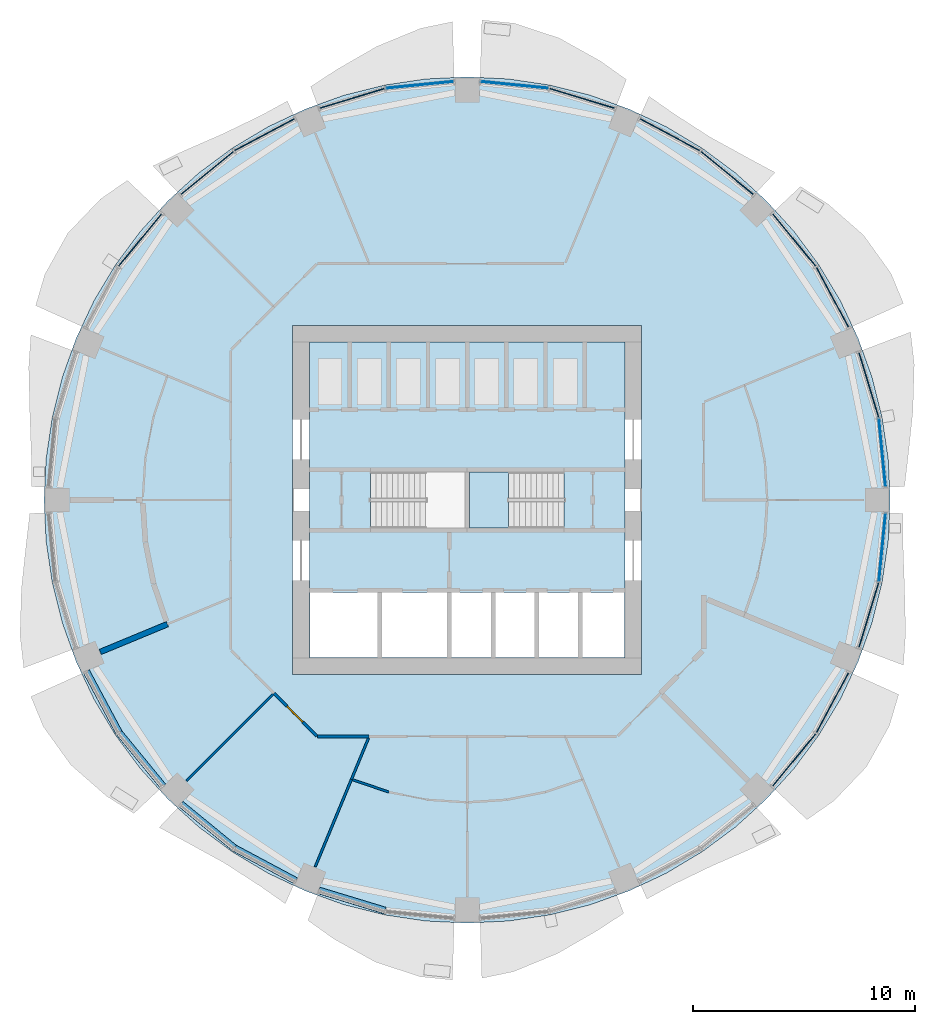
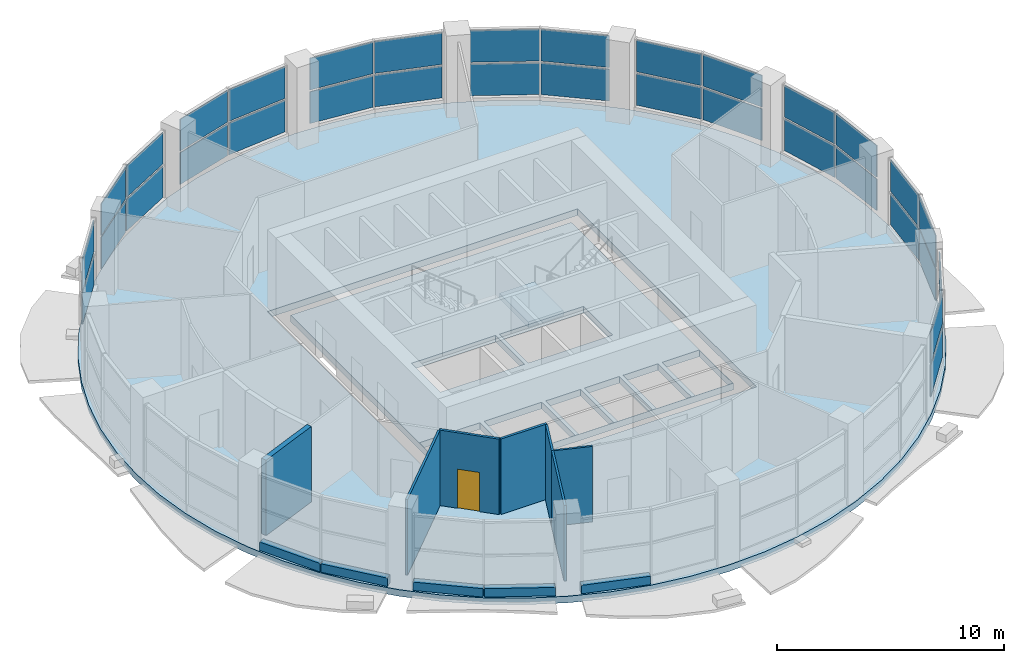
# One storey, part 5 of 13: 34 plates, 12 walls, 3 slabs, 1 door, 1 opening, 10 elements without a shape of their own.
"""IFC4 building model written with IfcOpenShell, lengths in metres."""

from ifc_helpers import new_model, si_unit, direction, frame, frame_2d, origin, origin_2d, place, context, subcontext, project, spatial, polyline, rectangle, outline, extrude, material, layer, layer_set, type_object, element, fill, aggregate, save


model = new_model("IFC4")

# Units and contexts
model_context = context("Model", 3, precision=1e-05, world=origin(), true_north=direction((0.0, 1.0)))
body_context = subcontext(model_context, "Body", "Model", "MODEL_VIEW")
ifc_project = project(units=[si_unit("LENGTHUNIT", "METRE"), si_unit("AREAUNIT", "SQUARE_METRE"), si_unit("VOLUMEUNIT", "CUBIC_METRE"), si_unit("PLANEANGLEUNIT", "RADIAN"), si_unit("MASSUNIT", "GRAM", prefix="KILO")], contexts=[model_context])

# Site, building, storey
site_placement = place(None, origin())
site = spatial("IfcSite", under=ifc_project, at=site_placement, CompositionType="ELEMENT")
building_placement = place(site_placement, origin())
building = spatial("IfcBuilding", under=site, at=building_placement, Name="Polderwave Tower", CompositionType="ELEMENT")
storey_placement = place(building_placement, frame((0.0, 0.0, 116.550048828125)))
storey = spatial("IfcBuildingStorey", under=building, at=storey_placement, Name="L30", CompositionType="ELEMENT", Elevation=116.550048828125)

# Slabs
ifc_material_1 = material(Name="Concrete C40/50", Category="concrete")
ifc_layer_1 = layer(ifc_material_1, 0.35009765625)
ifc_layer_set_1 = layer_set([ifc_layer_1], Name="Core floor slab 350")
slab_type_1 = type_object("IfcSlabType", Name="Core floor slab 350", PredefinedType="FLOOR", material=ifc_layer_set_1)
slab_1_placement = place(storey_placement, frame((0.0, 0.0, -0.35009765625)))
element("IfcSlab", 1, at=slab_1_placement, inside=storey, type_object=slab_type_1, Name="L30 core floor", PredefinedType="FLOOR", context=body_context, shape_type="SweptSolid", body=[
    extrude(outline(polyline([(-7.1240234375, -7.1240234375), (7.1240234375, -7.1240234375), (7.1240234375, 7.1240234375), (-7.1240234375, 7.1240234375), (-7.1240234375, -7.1240234375)]), holes=[polyline([(-7.10400390625, -7.10400390625), (-4.037109375, -7.10400390625), (-4.037109375, -4.174072265625), (-7.10400390625, -4.174072265625), (-7.10400390625, -7.10400390625)]), polyline([(-3.8369140625, -7.10400390625), (-0.89990234375, -7.10400390625), (-0.89990234375, -4.174072265625), (-3.8369140625, -4.174072265625), (-3.8369140625, -7.10400390625)]), polyline([(-0.699951171875, -7.10400390625), (1.068603515625, -7.10400390625), (1.068603515625, -4.174072265625), (-0.699951171875, -4.174072265625), (-0.699951171875, -7.10400390625)]), polyline([(1.2685546875, -7.10400390625), (3.037109375, -7.10400390625), (3.037109375, -4.174072265625), (1.2685546875, -4.174072265625), (1.2685546875, -7.10400390625)]), polyline([(3.237060546875, -7.10400390625), (5.005615234375, -7.10400390625), (5.005615234375, -4.174072265625), (3.237060546875, -4.174072265625), (3.237060546875, -7.10400390625)]), polyline([(5.20556640625, -7.10400390625), (7.10400390625, -7.10400390625), (7.10400390625, -4.174072265625), (5.20556640625, -4.174072265625), (5.20556640625, -7.10400390625)]), polyline([(-4.37353515625, -1.2744140625), (-0.1005859375, -1.2744140625), (-0.1005859375, 1.2744140625), (-4.37353515625, 1.2744140625), (-4.37353515625, -1.2744140625)]), polyline([(0.1005859375, -1.2744140625), (4.37353515625, -1.2744140625), (4.37353515625, 1.2744140625), (0.1005859375, 1.2744140625), (0.1005859375, -1.2744140625)])]), origin(), (0.0, 0.0, 1.0), 0.35009765625),
])
ifc_layer_2 = layer(ifc_material_1, 0.35009765625)
ifc_layer_set_2 = layer_set([ifc_layer_2], Name="PT FLOOR SLAB 350 C40/50")
slab_type_2 = type_object("IfcSlabType", Name="PT FLOOR SLAB 350 C40/50", PredefinedType="FLOOR", material=ifc_layer_set_2)
slab_2_placement = place(storey_placement, frame((0.0, 0.0, -0.35009765625)))
element("IfcSlab", 2, at=slab_2_placement, inside=storey, type_object=slab_type_2, Name="ST-SLAB-L30", PredefinedType="FLOOR", context=body_context, shape_type="SweptSolid", body=[
    extrude(outline(polyline([(19.10009765625, 0.0), (19.008056640625, 1.8720703125), (18.73291015625, 3.726318359375), (18.277587890625, 5.54443359375), (17.64599609375, 7.309326171875), (16.8447265625, 9.003662109375), (15.881103515625, 10.611328125), (14.764404296875, 12.116943359375), (13.505615234375, 13.505615234375), (12.116943359375, 14.764404296875), (10.611328125, 15.881103515625), (9.003662109375, 16.8447265625), (7.309326171875, 17.64599609375), (5.54443359375, 18.277587890625), (3.726318359375, 18.73291015625), (1.8720703125, 19.008056640625), (0.0, 19.10009765625), (-1.8720703125, 19.008056640625), (-3.726318359375, 18.73291015625), (-5.54443359375, 18.277587890625), (-7.309326171875, 17.64599609375), (-9.003662109375, 16.8447265625), (-10.611328125, 15.881103515625), (-12.116943359375, 14.764404296875), (-13.505615234375, 13.505615234375), (-14.764404296875, 12.116943359375), (-15.881103515625, 10.611328125), (-16.8447265625, 9.003662109375), (-17.64599609375, 7.309326171875), (-18.277587890625, 5.54443359375), (-18.73291015625, 3.726318359375), (-19.008056640625, 1.8720703125), (-19.10009765625, 0.0), (-19.008056640625, -1.8720703125), (-18.73291015625, -3.726318359375), (-18.277587890625, -5.54443359375), (-17.64599609375, -7.309326171875), (-16.8447265625, -9.003662109375), (-15.881103515625, -10.611328125), (-14.764404296875, -12.116943359375), (-13.505615234375, -13.505615234375), (-12.116943359375, -14.764404296875), (-10.611328125, -15.881103515625), (-9.003662109375, -16.8447265625), (-7.309326171875, -17.64599609375), (-5.54443359375, -18.277587890625), (-3.726318359375, -18.73291015625), (-1.8720703125, -19.008056640625), (0.0, -19.10009765625), (1.8720703125, -19.008056640625), (3.726318359375, -18.73291015625), (5.54443359375, -18.277587890625), (7.309326171875, -17.64599609375), (9.003662109375, -16.8447265625), (10.611328125, -15.881103515625), (12.116943359375, -14.764404296875), (13.505615234375, -13.505615234375), (14.764404296875, -12.116943359375), (15.881103515625, -10.611328125), (16.8447265625, -9.003662109375), (17.64599609375, -7.309326171875), (18.277587890625, -5.54443359375), (18.73291015625, -3.726318359375), (19.008056640625, -1.8720703125), (19.10009765625, 0.0)]), holes=[polyline([(-7.8740234375, -7.8740234375), (7.8740234375, -7.8740234375), (7.8740234375, 7.8740234375), (-7.8740234375, 7.8740234375), (-7.8740234375, -7.8740234375)])]), origin(), (0.0, 0.0, 1.0), 0.35009765625),
])

# Curtain wall, plates
ifc_material_2 = material(Name="Aluminium 6063-T6 and glass", Category="aluminium")
curtain_wall_type = type_object("IfcCurtainWallType", Name="Sky floor glazing wall", PredefinedType="NOTDEFINED", material=ifc_material_2)
curtain_wall_1_placement = place(storey_placement, origin())
curtain_wall_1 = element("IfcCurtainWall", 3, at=curtain_wall_1_placement, inside=storey, type_object=curtain_wall_type, Name="CW4 L30 00", PredefinedType="NOTDEFINED")
ifc_material_3 = material(Name="Glass, low-e laminated double glazing", Category="glass")
ifc_layer_3 = layer(ifc_material_3, 0.0439453125)
ifc_layer_set_3 = layer_set([ifc_layer_3], Name="Sky floor glazing glass panel 44 mm")
plate_type = type_object("IfcPlateType", Name="Sky floor glazing glass panel 44 mm", PredefinedType="CURTAIN_PANEL", material=ifc_layer_set_3)
plate_1_placement = place(storey_placement, frame((18.7392578125, 2.14208984375, 0.4501953125), z_axis=(0.0, 0.0, 1.0), x_axis=(-0.098032772643, 0.9951831869, 0.0)))
plate_1 = element("IfcPlate", 4, at=plate_1_placement, type_object=plate_type, Name="CW4 panel 1", PredefinedType="CURTAIN_PANEL", context=body_context, shape_type="SweptSolid", body=[
    extrude(rectangle(XDim=3.0498046875, YDim=0.0439453125, at=origin_2d()), origin(), (0.0, 0.0, 1.0), 1.699951171875),
])
plate_2_placement = place(storey_placement, frame((18.7392578125, 2.14208984375, 2.25), z_axis=(0.0, 0.0, 1.0), x_axis=(-0.098032772643, 0.9951831869, 0.0)))
plate_2 = element("IfcPlate", 5, at=plate_2_placement, type_object=plate_type, Name="CW4 panel 2", PredefinedType="CURTAIN_PANEL", context=body_context, shape_type="SweptSolid", body=[
    extrude(rectangle(XDim=3.0498046875, YDim=0.0439453125, at=origin_2d()), origin(), (0.0, 0.0, 1.0), 1.699951171875),
])
plate_3_placement = place(storey_placement, frame((18.13232421875, 5.192138671875, 0.4501953125), z_axis=(0.0, 0.0, 1.0), x_axis=(-0.290306389467, 0.956933749135, 0.0)))
plate_3 = element("IfcPlate", 6, at=plate_3_placement, type_object=plate_type, Name="CW4 panel 3", PredefinedType="CURTAIN_PANEL", context=body_context, shape_type="SweptSolid", body=[
    extrude(rectangle(XDim=3.0498046875, YDim=0.0439453125, at=origin_2d()), origin(), (0.0, 0.0, 1.0), 1.699951171875),
])
plate_4_placement = place(storey_placement, frame((18.13232421875, 5.192138671875, 2.25), z_axis=(0.0, 0.0, 1.0), x_axis=(-0.290306389467, 0.956933749135, 0.0)))
plate_4 = element("IfcPlate", 7, at=plate_4_placement, type_object=plate_type, Name="CW4 panel 4", PredefinedType="CURTAIN_PANEL", context=body_context, shape_type="SweptSolid", body=[
    extrude(rectangle(XDim=3.0498046875, YDim=0.0439453125, at=origin_2d()), origin(), (0.0, 0.0, 1.0), 1.699951171875),
])
aggregate(curtain_wall_1, [plate_1, plate_2, plate_3, plate_4])

curtain_wall_2_placement = place(storey_placement, origin())
curtain_wall_2 = element("IfcCurtainWall", 8, at=curtain_wall_2_placement, inside=storey, type_object=curtain_wall_type, Name="CW4 L30 01", PredefinedType="NOTDEFINED")
plate_5_placement = place(storey_placement, frame((16.49267578125, 9.14990234375, 0.4501953125), z_axis=(0.0, 0.0, 1.0), x_axis=(-0.471458305396, 0.881888352499, 0.0)))
plate_5 = element("IfcPlate", 9, at=plate_5_placement, type_object=plate_type, Name="CW4 panel 1", PredefinedType="CURTAIN_PANEL", context=body_context, shape_type="SweptSolid", body=[
    extrude(rectangle(XDim=3.050048828125, YDim=0.0439453125, at=origin_2d()), origin(), (0.0, 0.0, 1.0), 1.699951171875),
])
plate_6_placement = place(storey_placement, frame((16.49267578125, 9.14990234375, 2.25), z_axis=(0.0, 0.0, 1.0), x_axis=(-0.471458305396, 0.881888352499, 0.0)))
plate_6 = element("IfcPlate", 10, at=plate_6_placement, type_object=plate_type, Name="CW4 panel 2", PredefinedType="CURTAIN_PANEL", context=body_context, shape_type="SweptSolid", body=[
    extrude(rectangle(XDim=3.050048828125, YDim=0.0439453125, at=origin_2d()), origin(), (0.0, 0.0, 1.0), 1.699951171875),
])
plate_7_placement = place(storey_placement, frame((14.764892578125, 11.735595703125, 0.4501953125), z_axis=(0.0, 0.0, 1.0), x_axis=(-0.634443201678, 0.77296948442, 0.0)))
plate_7 = element("IfcPlate", 11, at=plate_7_placement, type_object=plate_type, Name="CW4 panel 3", PredefinedType="CURTAIN_PANEL", context=body_context, shape_type="SweptSolid", body=[
    extrude(rectangle(XDim=3.04931640625, YDim=0.0439453125, at=origin_2d()), origin(), (0.0, 0.0, 1.0), 1.699951171875),
])
plate_8_placement = place(storey_placement, frame((14.764892578125, 11.735595703125, 2.25), z_axis=(0.0, 0.0, 1.0), x_axis=(-0.634443201678, 0.77296948442, 0.0)))
plate_8 = element("IfcPlate", 12, at=plate_8_placement, type_object=plate_type, Name="CW4 panel 4", PredefinedType="CURTAIN_PANEL", context=body_context, shape_type="SweptSolid", body=[
    extrude(rectangle(XDim=3.04931640625, YDim=0.0439453125, at=origin_2d()), origin(), (0.0, 0.0, 1.0), 1.699951171875),
])
aggregate(curtain_wall_2, [plate_5, plate_6, plate_7, plate_8])

curtain_wall_3_placement = place(storey_placement, origin())
curtain_wall_3 = element("IfcCurtainWall", 13, at=curtain_wall_3_placement, inside=storey, type_object=curtain_wall_type, Name="CW4 L30 02", PredefinedType="NOTDEFINED")
plate_9_placement = place(storey_placement, frame((11.735595703125, 14.764892578125, 0.4501953125), z_axis=(0.0, 0.0, 1.0), x_axis=(-0.77296948442, 0.634443201678, 0.0)))
plate_9 = element("IfcPlate", 14, at=plate_9_placement, type_object=plate_type, Name="CW4 panel 1", PredefinedType="CURTAIN_PANEL", context=body_context, shape_type="SweptSolid", body=[
    extrude(rectangle(XDim=3.04931640625, YDim=0.0439453125, at=origin_2d()), origin(), (0.0, 0.0, 1.0), 1.699951171875),
])
plate_10_placement = place(storey_placement, frame((11.735595703125, 14.764892578125, 2.25), z_axis=(0.0, 0.0, 1.0), x_axis=(-0.77296948442, 0.634443201678, 0.0)))
plate_10 = element("IfcPlate", 15, at=plate_10_placement, type_object=plate_type, Name="CW4 panel 2", PredefinedType="CURTAIN_PANEL", context=body_context, shape_type="SweptSolid", body=[
    extrude(rectangle(XDim=3.04931640625, YDim=0.0439453125, at=origin_2d()), origin(), (0.0, 0.0, 1.0), 1.699951171875),
])
plate_11_placement = place(storey_placement, frame((9.14990234375, 16.49267578125, 0.4501953125), z_axis=(0.0, 0.0, 1.0), x_axis=(-0.881888352499, 0.471458305396, 0.0)))
plate_11 = element("IfcPlate", 16, at=plate_11_placement, type_object=plate_type, Name="CW4 panel 3", PredefinedType="CURTAIN_PANEL", context=body_context, shape_type="SweptSolid", body=[
    extrude(rectangle(XDim=3.050048828125, YDim=0.0439453125, at=origin_2d()), origin(), (0.0, 0.0, 1.0), 1.699951171875),
])
plate_12_placement = place(storey_placement, frame((9.14990234375, 16.49267578125, 2.25), z_axis=(0.0, 0.0, 1.0), x_axis=(-0.881888352499, 0.471458305396, 0.0)))
plate_12 = element("IfcPlate", 17, at=plate_12_placement, type_object=plate_type, Name="CW4 panel 4", PredefinedType="CURTAIN_PANEL", context=body_context, shape_type="SweptSolid", body=[
    extrude(rectangle(XDim=3.050048828125, YDim=0.0439453125, at=origin_2d()), origin(), (0.0, 0.0, 1.0), 1.699951171875),
])
aggregate(curtain_wall_3, [plate_9, plate_10, plate_11, plate_12])

curtain_wall_4_placement = place(storey_placement, origin())
curtain_wall_4 = element("IfcCurtainWall", 18, at=curtain_wall_4_placement, inside=storey, type_object=curtain_wall_type, Name="CW4 L30 03", PredefinedType="NOTDEFINED")
plate_13_placement = place(storey_placement, frame((5.192138671875, 18.13232421875, 0.4501953125), z_axis=(0.0, 0.0, 1.0), x_axis=(-0.956933749135, 0.290306389467, 0.0)))
plate_13 = element("IfcPlate", 19, at=plate_13_placement, type_object=plate_type, Name="CW4 panel 1", PredefinedType="CURTAIN_PANEL", context=body_context, shape_type="SweptSolid", body=[
    extrude(rectangle(XDim=3.0498046875, YDim=0.0439453125, at=origin_2d()), origin(), (0.0, 0.0, 1.0), 1.699951171875),
])
plate_14_placement = place(storey_placement, frame((5.192138671875, 18.13232421875, 2.25), z_axis=(0.0, 0.0, 1.0), x_axis=(-0.956933749135, 0.290306389467, 0.0)))
plate_14 = element("IfcPlate", 20, at=plate_14_placement, type_object=plate_type, Name="CW4 panel 2", PredefinedType="CURTAIN_PANEL", context=body_context, shape_type="SweptSolid", body=[
    extrude(rectangle(XDim=3.0498046875, YDim=0.0439453125, at=origin_2d()), origin(), (0.0, 0.0, 1.0), 1.699951171875),
])
plate_15_placement = place(storey_placement, frame((2.14208984375, 18.7392578125, 0.4501953125), z_axis=(0.0, 0.0, 1.0), x_axis=(-0.9951831869, 0.098032772643, 0.0)))
plate_15 = element("IfcPlate", 21, at=plate_15_placement, type_object=plate_type, Name="CW4 panel 3", PredefinedType="CURTAIN_PANEL", context=body_context, shape_type="SweptSolid", body=[
    extrude(rectangle(XDim=3.0498046875, YDim=0.0439453125, at=origin_2d()), origin(), (0.0, 0.0, 1.0), 1.699951171875),
])
plate_16_placement = place(storey_placement, frame((2.14208984375, 18.7392578125, 2.25), z_axis=(0.0, 0.0, 1.0), x_axis=(-0.9951831869, 0.098032772643, 0.0)))
plate_16 = element("IfcPlate", 22, at=plate_16_placement, type_object=plate_type, Name="CW4 panel 4", PredefinedType="CURTAIN_PANEL", context=body_context, shape_type="SweptSolid", body=[
    extrude(rectangle(XDim=3.0498046875, YDim=0.0439453125, at=origin_2d()), origin(), (0.0, 0.0, 1.0), 1.699951171875),
])
aggregate(curtain_wall_4, [plate_13, plate_14, plate_15, plate_16])

curtain_wall_5_placement = place(storey_placement, origin())
curtain_wall_5 = element("IfcCurtainWall", 23, at=curtain_wall_5_placement, inside=storey, type_object=curtain_wall_type, Name="CW4 L30 04", PredefinedType="NOTDEFINED")
plate_17_placement = place(storey_placement, frame((-2.14208984375, 18.7392578125, 0.4501953125), z_axis=(0.0, 0.0, 1.0), x_axis=(-0.9951831869, -0.098032772643, 0.0)))
plate_17 = element("IfcPlate", 24, at=plate_17_placement, type_object=plate_type, Name="CW4 panel 1", PredefinedType="CURTAIN_PANEL", context=body_context, shape_type="SweptSolid", body=[
    extrude(rectangle(XDim=3.0498046875, YDim=0.0439453125, at=origin_2d()), origin(), (0.0, 0.0, 1.0), 1.699951171875),
])
plate_18_placement = place(storey_placement, frame((-2.14208984375, 18.7392578125, 2.25), z_axis=(0.0, 0.0, 1.0), x_axis=(-0.9951831869, -0.098032772643, 0.0)))
plate_18 = element("IfcPlate", 25, at=plate_18_placement, type_object=plate_type, Name="CW4 panel 2", PredefinedType="CURTAIN_PANEL", context=body_context, shape_type="SweptSolid", body=[
    extrude(rectangle(XDim=3.0498046875, YDim=0.0439453125, at=origin_2d()), origin(), (0.0, 0.0, 1.0), 1.699951171875),
])
plate_19_placement = place(storey_placement, frame((-5.192138671875, 18.13232421875, 0.4501953125), z_axis=(0.0, 0.0, 1.0), x_axis=(-0.956933749135, -0.290306389467, 0.0)))
plate_19 = element("IfcPlate", 26, at=plate_19_placement, type_object=plate_type, Name="CW4 panel 3", PredefinedType="CURTAIN_PANEL", context=body_context, shape_type="SweptSolid", body=[
    extrude(rectangle(XDim=3.0498046875, YDim=0.0439453125, at=origin_2d()), origin(), (0.0, 0.0, 1.0), 1.699951171875),
])
plate_20_placement = place(storey_placement, frame((-5.192138671875, 18.13232421875, 2.25), z_axis=(0.0, 0.0, 1.0), x_axis=(-0.956933749135, -0.290306389467, 0.0)))
plate_20 = element("IfcPlate", 27, at=plate_20_placement, type_object=plate_type, Name="CW4 panel 4", PredefinedType="CURTAIN_PANEL", context=body_context, shape_type="SweptSolid", body=[
    extrude(rectangle(XDim=3.0498046875, YDim=0.0439453125, at=origin_2d()), origin(), (0.0, 0.0, 1.0), 1.699951171875),
])
aggregate(curtain_wall_5, [plate_17, plate_18, plate_19, plate_20])

curtain_wall_6_placement = place(storey_placement, origin())
curtain_wall_6 = element("IfcCurtainWall", 28, at=curtain_wall_6_placement, inside=storey, type_object=curtain_wall_type, Name="CW4 L30 05", PredefinedType="NOTDEFINED")
plate_21_placement = place(storey_placement, frame((-9.14990234375, 16.49267578125, 0.4501953125), z_axis=(0.0, 0.0, 1.0), x_axis=(-0.881888352499, -0.471458305396, 0.0)))
plate_21 = element("IfcPlate", 29, at=plate_21_placement, type_object=plate_type, Name="CW4 panel 1", PredefinedType="CURTAIN_PANEL", context=body_context, shape_type="SweptSolid", body=[
    extrude(rectangle(XDim=3.050048828125, YDim=0.0439453125, at=origin_2d()), origin(), (0.0, 0.0, 1.0), 1.699951171875),
])
plate_22_placement = place(storey_placement, frame((-9.14990234375, 16.49267578125, 2.25), z_axis=(0.0, 0.0, 1.0), x_axis=(-0.881888352499, -0.471458305396, 0.0)))
plate_22 = element("IfcPlate", 30, at=plate_22_placement, type_object=plate_type, Name="CW4 panel 2", PredefinedType="CURTAIN_PANEL", context=body_context, shape_type="SweptSolid", body=[
    extrude(rectangle(XDim=3.050048828125, YDim=0.0439453125, at=origin_2d()), origin(), (0.0, 0.0, 1.0), 1.699951171875),
])
plate_23_placement = place(storey_placement, frame((-11.735595703125, 14.764892578125, 0.4501953125), z_axis=(0.0, 0.0, 1.0), x_axis=(-0.77296948442, -0.634443201678, 0.0)))
plate_23 = element("IfcPlate", 31, at=plate_23_placement, type_object=plate_type, Name="CW4 panel 3", PredefinedType="CURTAIN_PANEL", context=body_context, shape_type="SweptSolid", body=[
    extrude(rectangle(XDim=3.04931640625, YDim=0.0439453125, at=origin_2d()), origin(), (0.0, 0.0, 1.0), 1.699951171875),
])
plate_24_placement = place(storey_placement, frame((-11.735595703125, 14.764892578125, 2.25), z_axis=(0.0, 0.0, 1.0), x_axis=(-0.77296948442, -0.634443201678, 0.0)))
plate_24 = element("IfcPlate", 32, at=plate_24_placement, type_object=plate_type, Name="CW4 panel 4", PredefinedType="CURTAIN_PANEL", context=body_context, shape_type="SweptSolid", body=[
    extrude(rectangle(XDim=3.04931640625, YDim=0.0439453125, at=origin_2d()), origin(), (0.0, 0.0, 1.0), 1.699951171875),
])
aggregate(curtain_wall_6, [plate_21, plate_22, plate_23, plate_24])

curtain_wall_7_placement = place(storey_placement, origin())
curtain_wall_7 = element("IfcCurtainWall", 33, at=curtain_wall_7_placement, inside=storey, type_object=curtain_wall_type, Name="CW4 L30 06", PredefinedType="NOTDEFINED")
plate_25_placement = place(storey_placement, frame((-14.764892578125, 11.735595703125, 0.4501953125), z_axis=(0.0, 0.0, 1.0), x_axis=(-0.634443201678, -0.77296948442, 0.0)))
plate_25 = element("IfcPlate", 34, at=plate_25_placement, type_object=plate_type, Name="CW4 panel 1", PredefinedType="CURTAIN_PANEL", context=body_context, shape_type="SweptSolid", body=[
    extrude(rectangle(XDim=3.04931640625, YDim=0.0439453125, at=origin_2d()), origin(), (0.0, 0.0, 1.0), 1.699951171875),
])
plate_26_placement = place(storey_placement, frame((-14.764892578125, 11.735595703125, 2.25), z_axis=(0.0, 0.0, 1.0), x_axis=(-0.634443201678, -0.77296948442, 0.0)))
plate_26 = element("IfcPlate", 35, at=plate_26_placement, type_object=plate_type, Name="CW4 panel 2", PredefinedType="CURTAIN_PANEL", context=body_context, shape_type="SweptSolid", body=[
    extrude(rectangle(XDim=3.04931640625, YDim=0.0439453125, at=origin_2d()), origin(), (0.0, 0.0, 1.0), 1.699951171875),
])
aggregate(curtain_wall_7, [plate_25, plate_26])

curtain_wall_8_placement = place(storey_placement, origin())
curtain_wall_8 = element("IfcCurtainWall", 36, at=curtain_wall_8_placement, inside=storey, type_object=curtain_wall_type, Name="CW4 L30 14", PredefinedType="NOTDEFINED")
plate_27_placement = place(storey_placement, frame((14.764892578125, -11.735595703125, 0.4501953125), z_axis=(0.0, 0.0, 1.0), x_axis=(0.634443201678, 0.77296948442, 0.0)))
plate_27 = element("IfcPlate", 37, at=plate_27_placement, type_object=plate_type, Name="CW4 panel 1", PredefinedType="CURTAIN_PANEL", context=body_context, shape_type="SweptSolid", body=[
    extrude(rectangle(XDim=3.04931640625, YDim=0.0439453125, at=origin_2d()), origin(), (0.0, 0.0, 1.0), 1.699951171875),
])
plate_28_placement = place(storey_placement, frame((14.764892578125, -11.735595703125, 2.25), z_axis=(0.0, 0.0, 1.0), x_axis=(0.634443201678, 0.77296948442, 0.0)))
plate_28 = element("IfcPlate", 38, at=plate_28_placement, type_object=plate_type, Name="CW4 panel 2", PredefinedType="CURTAIN_PANEL", context=body_context, shape_type="SweptSolid", body=[
    extrude(rectangle(XDim=3.04931640625, YDim=0.0439453125, at=origin_2d()), origin(), (0.0, 0.0, 1.0), 1.699951171875),
])
plate_29_placement = place(storey_placement, frame((16.49267578125, -9.14990234375, 0.4501953125), z_axis=(0.0, 0.0, 1.0), x_axis=(0.471458305396, 0.881888352499, 0.0)))
plate_29 = element("IfcPlate", 39, at=plate_29_placement, type_object=plate_type, Name="CW4 panel 3", PredefinedType="CURTAIN_PANEL", context=body_context, shape_type="SweptSolid", body=[
    extrude(rectangle(XDim=3.050048828125, YDim=0.0439453125, at=origin_2d()), origin(), (0.0, 0.0, 1.0), 1.699951171875),
])
plate_30_placement = place(storey_placement, frame((16.49267578125, -9.14990234375, 2.25), z_axis=(0.0, 0.0, 1.0), x_axis=(0.471458305396, 0.881888352499, 0.0)))
plate_30 = element("IfcPlate", 40, at=plate_30_placement, type_object=plate_type, Name="CW4 panel 4", PredefinedType="CURTAIN_PANEL", context=body_context, shape_type="SweptSolid", body=[
    extrude(rectangle(XDim=3.050048828125, YDim=0.0439453125, at=origin_2d()), origin(), (0.0, 0.0, 1.0), 1.699951171875),
])
aggregate(curtain_wall_8, [plate_27, plate_28, plate_29, plate_30])

curtain_wall_9_placement = place(storey_placement, origin())
curtain_wall_9 = element("IfcCurtainWall", 41, at=curtain_wall_9_placement, inside=storey, type_object=curtain_wall_type, Name="CW4 L30 15", PredefinedType="NOTDEFINED")
plate_31_placement = place(storey_placement, frame((18.13232421875, -5.192138671875, 0.4501953125), z_axis=(0.0, 0.0, 1.0), x_axis=(0.290306389467, 0.956933749135, 0.0)))
plate_31 = element("IfcPlate", 42, at=plate_31_placement, type_object=plate_type, Name="CW4 panel 1", PredefinedType="CURTAIN_PANEL", context=body_context, shape_type="SweptSolid", body=[
    extrude(rectangle(XDim=3.0498046875, YDim=0.0439453125, at=origin_2d()), origin(), (0.0, 0.0, 1.0), 1.699951171875),
])
plate_32_placement = place(storey_placement, frame((18.13232421875, -5.192138671875, 2.25), z_axis=(0.0, 0.0, 1.0), x_axis=(0.290306389467, 0.956933749135, 0.0)))
plate_32 = element("IfcPlate", 43, at=plate_32_placement, type_object=plate_type, Name="CW4 panel 2", PredefinedType="CURTAIN_PANEL", context=body_context, shape_type="SweptSolid", body=[
    extrude(rectangle(XDim=3.0498046875, YDim=0.0439453125, at=origin_2d()), origin(), (0.0, 0.0, 1.0), 1.699951171875),
])
plate_33_placement = place(storey_placement, frame((18.7392578125, -2.14208984375, 0.4501953125), z_axis=(0.0, 0.0, 1.0), x_axis=(0.098032772643, 0.9951831869, 0.0)))
plate_33 = element("IfcPlate", 44, at=plate_33_placement, type_object=plate_type, Name="CW4 panel 3", PredefinedType="CURTAIN_PANEL", context=body_context, shape_type="SweptSolid", body=[
    extrude(rectangle(XDim=3.0498046875, YDim=0.0439453125, at=origin_2d()), origin(), (0.0, 0.0, 1.0), 1.699951171875),
])
plate_34_placement = place(storey_placement, frame((18.7392578125, -2.14208984375, 2.25), z_axis=(0.0, 0.0, 1.0), x_axis=(0.098032772643, 0.9951831869, 0.0)))
plate_34 = element("IfcPlate", 45, at=plate_34_placement, type_object=plate_type, Name="CW4 panel 4", PredefinedType="CURTAIN_PANEL", context=body_context, shape_type="SweptSolid", body=[
    extrude(rectangle(XDim=3.0498046875, YDim=0.0439453125, at=origin_2d()), origin(), (0.0, 0.0, 1.0), 1.699951171875),
])
aggregate(curtain_wall_9, [plate_31, plate_32, plate_33, plate_34])

# Stair, slab
stair_type = type_object("IfcStairType", Name="Exit stair 1200 x 22 risers", PredefinedType="HALF_TURN_STAIR", material=ifc_material_1)
stair_placement = place(storey_placement, origin())
stair = element("IfcStair", 46, at=stair_placement, inside=storey, type_object=stair_type, Name="L30 Exit stair B", PredefinedType="HALF_TURN_STAIR")
ifc_layer_4 = layer(ifc_material_1, 0.300048828125)
ifc_layer_set_4 = layer_set([ifc_layer_4], Name="Stair landing 300")
slab_type_3 = type_object("IfcSlabType", Name="Stair landing 300", PredefinedType="LANDING", material=ifc_layer_set_4)
slab_3_placement = place(storey_placement, frame((0.0, 0.0, 1.89990234375)))
slab_3 = element("IfcSlab", 47, at=slab_3_placement, type_object=slab_type_3, Name="ST-B landing 1", PredefinedType="LANDING", context=body_context, shape_type="SweptSolid", body=[
    extrude(outline(polyline([(1.8740234375, 1.27490234375), (0.10009765625, 1.27490234375), (0.10009765625, -1.27490234375), (1.8740234375, -1.27490234375), (1.8740234375, 1.27490234375)])), origin(), (0.0, 0.0, 1.0), 0.300048828125),
])
aggregate(stair, [slab_3])

# Walls
ifc_material_4 = material(Name="Concrete C50/60 (board-marked)", Category="concrete")
ifc_layer_5 = layer(ifc_material_4, 0.300048828125)
ifc_layer_set_5 = layer_set([ifc_layer_5], Name="Concrete spandrel upstand C50/60")
wall_type_1 = type_object("IfcWallType", Name="Concrete spandrel upstand C50/60", PredefinedType="SOLIDWALL", material=ifc_layer_set_5)
for number, where, z_axis, x_axis, name in (
    (48, (-17.19384765625, -7.732177734375, 0.0), (0.0, 0.0, 1.0), (0.471464266524, -0.881885165648, 0.0), "Spandrel L30 10a"),
    (49, (-15.70458984375, -10.51171875, 0.0), (0.0, 0.0, 1.0), (0.634284271422, -0.773099904946, 0.0), "Spandrel L30 10b"),
    (50, (-12.926513671875, -13.723388671875, 0.0), (0.0, 0.0, 1.0), (0.773099904946, -0.634284271422, 0.0), "Spandrel L30 11a"),
    (51, (-10.48681640625, -15.72119140625, 0.0), (0.0, 0.0, 1.0), (0.881885165648, -0.471464266524, 0.0), "Spandrel L30 11b"),
):
    element("IfcWall", number, at=place(storey_placement, frame(where, z_axis=z_axis, x_axis=x_axis)), inside=storey, type_object=wall_type_1, Name=name, PredefinedType="SOLIDWALL", context=body_context, shape_type="SweptSolid", body=[
        extrude(rectangle(XDim=3.12353515625, YDim=0.300048828125, at=frame_2d((1.561767578125, 0.0))), origin(), (0.0, 0.0, 1.0), 0.449951171875),
    ])
wall_1_placement = place(storey_placement, frame((-6.690673828125, -17.62548828125, 0.0), z_axis=(0.0, 0.0, 1.0), x_axis=(0.956900745699, -0.290415156078, 0.0)))
element("IfcWall", 52, at=wall_1_placement, inside=storey, type_object=wall_type_1, Name="Spandrel L30 12a", PredefinedType="SOLIDWALL", context=body_context, shape_type="SweptSolid", body=[
    extrude(rectangle(XDim=3.123779296875, YDim=0.300048828125, at=frame_2d((1.56201171875, 0.0))), origin(), (0.0, 0.0, 1.0), 0.449951171875),
])

# Wall, opening, door
ifc_material_5 = material(Name="Fire-resisting board on steel studs", Category="steel")
ifc_layer_6 = layer(ifc_material_5, 0.125)
ifc_layer_set_6 = layer_set([ifc_layer_6], Name="Corridor wall 125 mm EI 60")
wall_type_2 = type_object("IfcWallType", Name="Corridor wall 125 mm EI 60", PredefinedType="PARTITIONING", material=ifc_layer_set_6)
wall_2_placement = place(storey_placement, frame((-6.789306640625, -10.65576171875, 0.0), z_axis=(0.0, 0.0, 1.0), x_axis=(-0.707062130741, 0.707151428813, 0.0)))
wall_2 = element("IfcWall", 53, at=wall_2_placement, inside=storey, type_object=wall_type_2, Name="IN-L30-W013", PredefinedType="PARTITIONING", context=body_context, shape_type="SweptSolid", body=[
    extrude(rectangle(XDim=2.73388671875, YDim=0.125, at=frame_2d((1.366943359375, 0.0))), origin(), (0.0, 0.0, 1.0), 4.050048828125),
])
opening_placement = place(wall_2_placement, frame((0.89990234375, 0.0, 0.0)))
opening = element("IfcOpeningElement", 54, at=opening_placement, cuts=wall_2, Name="Opening L30-D58", PredefinedType="OPENING", context=body_context, shape_type="SweptSolid", body=[
    extrude(rectangle(XDim=1.0, YDim=2.10009765625, at=frame_2d((0.5, 1.050048828125))), frame((0.0, 0.072509765625, 0.0), z_axis=(0.0, -1.0, 0.0), x_axis=(1.0, 0.0, 0.0)), (0.0, 0.0, 1.0), 0.14501953125),
])
ifc_material_6 = material(Name="Timber fire door leaf", Category="wood")
door_type = type_object("IfcDoorType", Name="Fire door FD30S 1000 x 2100", OperationType="NOTDEFINED", PredefinedType="DOOR", material=ifc_material_6)
door_placement = place(opening_placement, origin())
door = element("IfcDoor", 55, at=door_placement, inside=storey, type_object=door_type, Name="Door L30-D58", OperationType="SINGLE_SWING_RIGHT", OverallHeight=2.10009765625, OverallWidth=1.0, PredefinedType="DOOR", context=body_context, shape_type="SweptSolid", body=[
    extrude(rectangle(XDim=1.0, YDim=2.10009765625, at=frame_2d((0.5, 1.050048828125))), frame((0.0, 0.02490234375, 0.0), z_axis=(0.0, -1.0, 0.0), x_axis=(1.0, 0.0, 0.0)), (0.0, 0.0, 1.0), 0.050048828125),
])
fill(opening, door)

# Walls
wall_3_placement = place(storey_placement, frame((-4.42138671875, -10.674072265625, 0.0), z_axis=(0.0, 0.0, 1.0), x_axis=(-1.0, 0.0, 0.0)))
element("IfcWall", 56, at=wall_3_placement, inside=storey, type_object=wall_type_2, Name="IN-L30-W014", PredefinedType="PARTITIONING", context=body_context, shape_type="SweptSolid", body=[
    extrude(rectangle(XDim=2.32373046875, YDim=0.125, at=frame_2d((1.161865234375, 0.0))), origin(), (0.0, 0.0, 1.0), 4.050048828125),
])
ifc_material_7 = material(Name="Plasterboard on steel studs", Category="steel")
ifc_layer_7 = layer(ifc_material_7, 0.10009765625)
ifc_layer_set_7 = layer_set([ifc_layer_7], Name="Partition 100 mm plasterboard on steel studs")
wall_type_3 = type_object("IfcWallType", Name="Partition 100 mm plasterboard on steel studs", PredefinedType="PARTITIONING", material=ifc_layer_set_7)
wall_4_placement = place(storey_placement, frame((-3.535888671875, -13.183837890625, 0.0), z_axis=(0.0, 0.0, 1.0), x_axis=(-0.946929514701, 0.321441276421, 0.0)))
element("IfcWall", 57, at=wall_4_placement, inside=storey, type_object=wall_type_3, Name="IN-L30-W044", PredefinedType="PARTITIONING", context=body_context, shape_type="SweptSolid", body=[
    extrude(rectangle(XDim=1.726318359375, YDim=0.10009765625, at=frame_2d((0.86328125, 0.0))), origin(), (0.0, 0.0, 1.0), 4.050048828125),
])
ifc_material_8 = material(Name="Moisture-resistant board on steel studs, tiled", Category="steel")
ifc_layer_8 = layer(ifc_material_8, 0.10498046875)
ifc_layer_set_8 = layer_set([ifc_layer_8], Name="Partition 105 mm wet room board and tile")
wall_type_4 = type_object("IfcWallType", Name="Partition 105 mm wet room board and tile", PredefinedType="PARTITIONING", material=ifc_layer_set_8)
wall_5_placement = place(storey_placement, frame((-12.67138671875, -12.67138671875, 0.0), z_axis=(0.0, 0.0, 1.0), x_axis=(0.707106781187, 0.707106781187, 0.0)))
element("IfcWall", 58, at=wall_5_placement, inside=storey, type_object=wall_type_4, Name="IN-L30-W041", PredefinedType="PARTITIONING", context=body_context, shape_type="SweptSolid", body=[
    extrude(rectangle(XDim=5.522216796875, YDim=0.10498046875, at=frame_2d((2.76123046875, 0.0))), origin(), (0.0, 0.0, 1.0), 4.050048828125),
])
wall_6_placement = place(storey_placement, frame((-4.45556640625, -10.756591796875, 0.0), z_axis=(0.0, 0.0, 1.0), x_axis=(-0.382645412201, -0.923895280062, 0.0)))
element("IfcWall", 59, at=wall_6_placement, inside=storey, type_object=wall_type_4, Name="IN-L30-W042", PredefinedType="PARTITIONING", context=body_context, shape_type="SweptSolid", body=[
    extrude(rectangle(XDim=2.00732421875, YDim=0.10498046875, at=frame_2d((1.003662109375, 0.0))), origin(), (0.0, 0.0, 1.0), 4.050048828125),
])
wall_7_placement = place(storey_placement, frame((-5.2236328125, -12.611083984375, 0.0), z_axis=(0.0, 0.0, 1.0), x_axis=(-0.382690131178, -0.923876757744, 0.0)))
element("IfcWall", 60, at=wall_7_placement, inside=storey, type_object=wall_type_4, Name="IN-L30-W043", PredefinedType="PARTITIONING", context=body_context, shape_type="SweptSolid", body=[
    extrude(rectangle(XDim=4.269775390625, YDim=0.10498046875, at=frame_2d((2.134765625, 0.0))), origin(), (0.0, 0.0, 1.0), 4.050048828125),
])
ifc_material_9 = material(Name="Fire-resisting board on steel studs, mineral wool", Category="steel")
ifc_layer_9 = layer(ifc_material_9, 0.25)
ifc_layer_set_9 = layer_set([ifc_layer_9], Name="Plant room wall 250 mm EI 120")
wall_type_5 = type_object("IfcWallType", Name="Plant room wall 250 mm EI 120", PredefinedType="PARTITIONING", material=ifc_layer_set_9)
wall_8_placement = place(storey_placement, frame((-13.534912109375, -5.606201171875, 0.0), z_axis=(0.0, 0.0, 1.0), x_axis=(-0.923865769093, -0.382716658507, 0.0)))
element("IfcWall", 61, at=wall_8_placement, inside=storey, type_object=wall_type_5, Name="IN-L30-W039", PredefinedType="PARTITIONING", context=body_context, shape_type="SweptSolid", body=[
    extrude(rectangle(XDim=3.27001953125, YDim=0.25, at=frame_2d((1.635009765625, 0.0))), origin(), (0.0, 0.0, 1.0), 4.050048828125),
])

save(model, "model.ifc")
